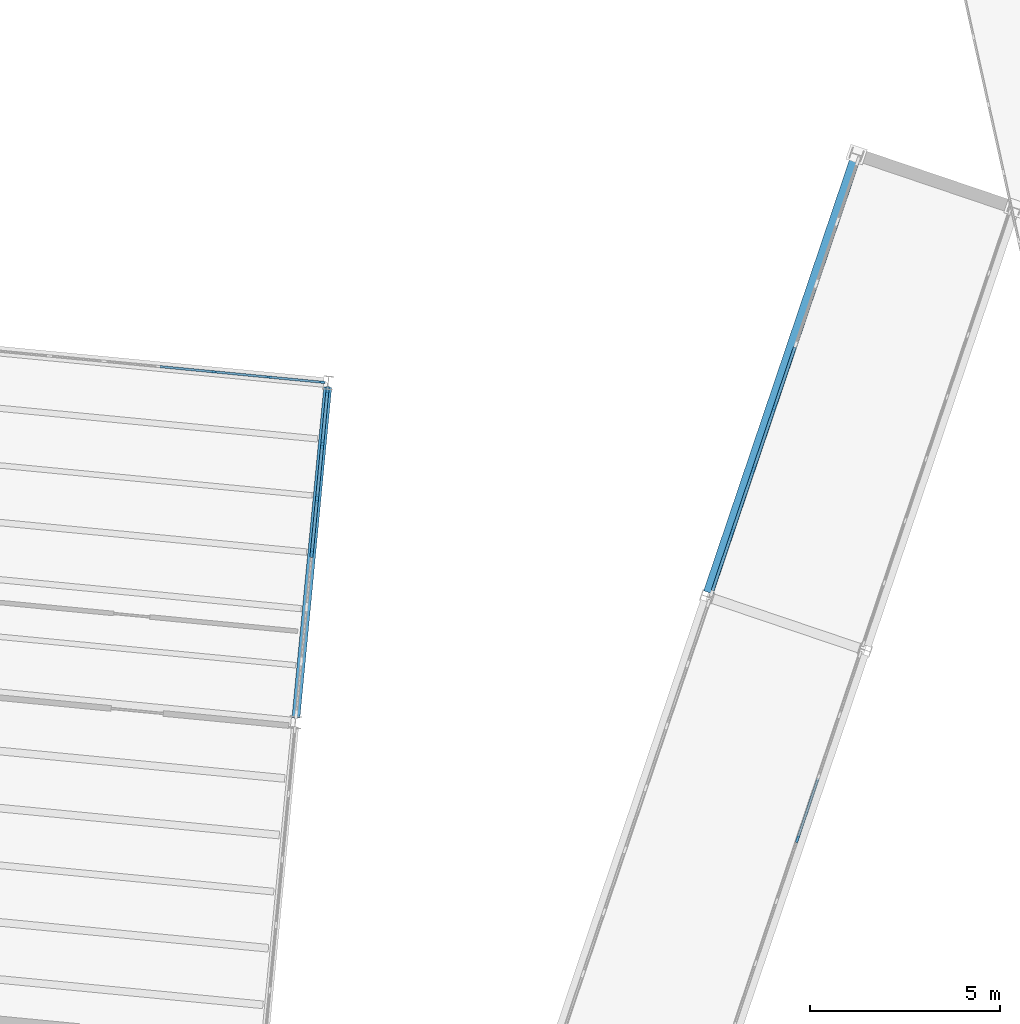
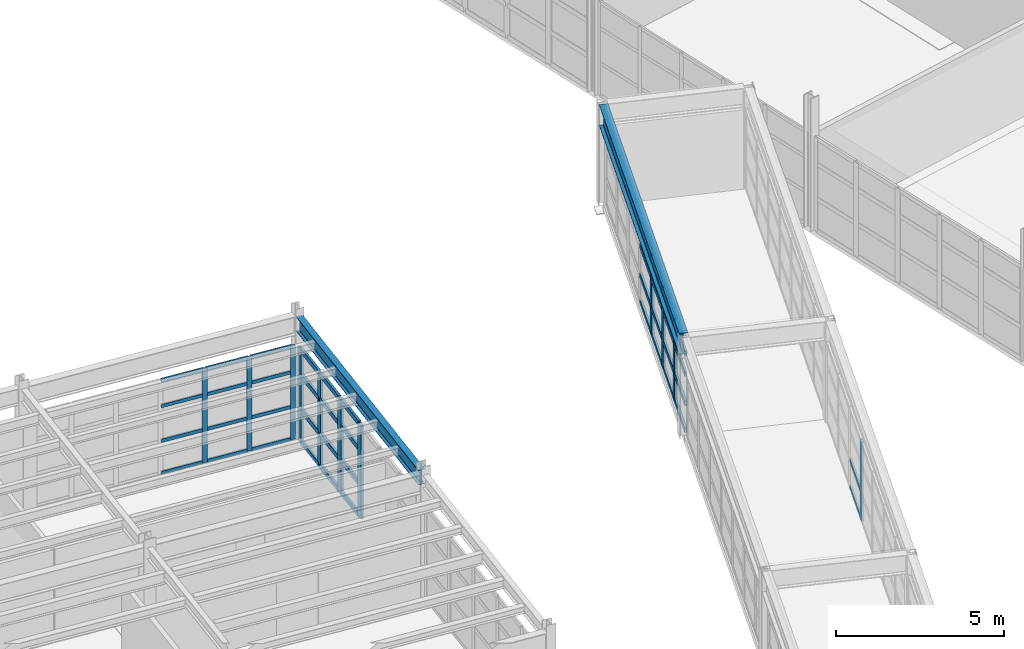
# One storey, part 50 of 102: 53 members, 2 beams, 4 elements without a shape of their own.
"""IFC4 building model written with IfcOpenShell, lengths in metres."""

from ifc_helpers import new_model, si_unit, direction, frame, origin, origin_2d, place, context, subcontext, project, spatial, rectangle, i_section, extrude, material, layer, layer_set, material_profile, profile_set, type_object, element, aggregate, save


model = new_model("IFC4")

# Units and contexts
model_context = context("Model", 3, precision=1e-05, world=origin(), true_north=direction((0.0, 1.0)))
body_context = subcontext(model_context, "Body", "Model", "MODEL_VIEW")
ifc_project = project(units=[si_unit("LENGTHUNIT", "METRE"), si_unit("AREAUNIT", "SQUARE_METRE"), si_unit("VOLUMEUNIT", "CUBIC_METRE"), si_unit("PLANEANGLEUNIT", "RADIAN"), si_unit("MASSUNIT", "GRAM", prefix="KILO")], contexts=[model_context])

# Site, building, storey
site_placement = place(None, origin())
site = spatial("IfcSite", under=ifc_project, at=site_placement, CompositionType="ELEMENT")
building_placement = place(site_placement, origin())
building = spatial("IfcBuilding", under=site, at=building_placement, Name="Vireo Bluff Cable Station", CompositionType="ELEMENT")
storey_placement = place(building_placement, frame((0.0, 0.0, 9.60009765625)))
storey = spatial("IfcBuildingStorey", under=building, at=storey_placement, Name="L02", CompositionType="ELEMENT", Elevation=9.60009765625)

# Curtain wall, member
ifc_material_1 = material(Name="Anodized Aluminium 6063-T6", Category="aluminium")
ifc_layer_1 = layer(ifc_material_1, 0.159912109375, Name="Anodized Aluminium 6063-T6")
ifc_layer_set_1 = layer_set([ifc_layer_1], Name="Anodized Aluminium 6063-T6")
curtain_wall_type_1 = type_object("IfcCurtainWallType", Name="CW-STICK-1750", PredefinedType="USERDEFINED", material=ifc_layer_set_1)
curtain_wall_1_placement = place(storey_placement, origin())
curtain_wall_1 = element("IfcCurtainWall", 1, at=curtain_wall_1_placement, inside=storey, type_object=curtain_wall_type_1, Name="SKYBR L02 HAUL-DRIVE-2L curtain wall CW-148", ObjectType="STICK CURTAIN WALL", PredefinedType="USERDEFINED")
ifc_material_profile_1 = material_profile(ifc_material_1, rectangle(XDim=0.06494140625, YDim=0.179931640625, at=origin_2d()), Name="ALU-M-65X180")
ifc_profile_set_1 = profile_set([ifc_material_profile_1], Name="Anodized Aluminium 6063-T6")
member_type_1 = type_object("IfcMemberType", Name="CWM-01", PredefinedType="MULLION", material=ifc_profile_set_1)
member_1_placement = place(storey_placement, frame((117.67919921875, 69.429443359375, 0.0), z_axis=(0.0, 0.0, 1.0), x_axis=(-0.9472950728, 0.320362365221, 0.0)))
member_1 = element("IfcMember", 2, at=member_1_placement, type_object=member_type_1, Name="CW-148 mullion 5", PredefinedType="MULLION", context=body_context, shape_type="SweptSolid", body=[
    extrude(rectangle(XDim=0.06494140625, YDim=0.179931640625, at=origin_2d()), origin(), (0.0, 0.0, 1.0), 2.8798828125),
])

# Curtain wall, members
ifc_layer_2 = layer(ifc_material_1, 0.179931640625, Name="Anodized Aluminium 6063-T6")
ifc_layer_set_2 = layer_set([ifc_layer_2], Name="Anodized Aluminium 6063-T6")
curtain_wall_type_2 = type_object("IfcCurtainWallType", Name="CW-UNIT-1400", PredefinedType="USERDEFINED", material=ifc_layer_set_2)
curtain_wall_2_placement = place(storey_placement, origin())
curtain_wall_2 = element("IfcCurtainWall", 3, at=curtain_wall_2_placement, inside=storey, type_object=curtain_wall_type_2, Name="V3 L02 north curtain wall CW-078", ObjectType="UNITISED CURTAIN WALL", PredefinedType="USERDEFINED")
ifc_material_profile_2 = material_profile(ifc_material_1, rectangle(XDim=0.06005859375, YDim=0.159912109375, at=origin_2d()), Name="ALU-M-60X160")
ifc_profile_set_2 = profile_set([ifc_material_profile_2], Name="Anodized Aluminium 6063-T6")
member_type_2 = type_object("IfcMemberType", Name="CWM-03", PredefinedType="MULLION", material=ifc_profile_set_2)
member_2_placement = place(storey_placement, frame((102.2783203125, 81.76123046875, 0.0), z_axis=(0.0, 0.0, 1.0), x_axis=(0.095845743156, 0.995396199269, 0.0)))
member_2 = element("IfcMember", 4, at=member_2_placement, type_object=member_type_2, Name="CW-078 mullion 5", PredefinedType="MULLION", context=body_context, shape_type="SweptSolid", body=[
    extrude(rectangle(XDim=0.06005859375, YDim=0.159912109375, at=origin_2d()), origin(), (0.0, 0.0, 1.0), 3.39990234375),
])
member_3_placement = place(storey_placement, frame((103.723876953125, 81.6220703125, 0.0), z_axis=(0.0, 0.0, 1.0), x_axis=(0.095845743156, 0.995396199269, 0.0)))
member_3 = element("IfcMember", 5, at=member_3_placement, type_object=member_type_2, Name="CW-078 mullion 6", PredefinedType="MULLION", context=body_context, shape_type="SweptSolid", body=[
    extrude(rectangle(XDim=0.06005859375, YDim=0.159912109375, at=origin_2d()), origin(), (0.0, 0.0, 1.0), 3.39990234375),
])
member_4_placement = place(storey_placement, frame((105.139404296875, 81.48583984375, 0.0), z_axis=(0.0, 0.0, 1.0), x_axis=(0.095845743156, 0.995396199269, 0.0)))
member_4 = element("IfcMember", 6, at=member_4_placement, type_object=member_type_2, Name="CW-078 mullion 7", PredefinedType="MULLION", context=body_context, shape_type="SweptSolid", body=[
    extrude(rectangle(XDim=0.06005859375, YDim=0.159912109375, at=origin_2d()), origin(), (0.0, 0.0, 1.0), 3.39990234375),
])

ifc_layer_3 = layer(ifc_material_1, 0.179931640625, Name="Anodized Aluminium 6063-T6")
ifc_layer_set_3 = layer_set([ifc_layer_3], Name="Anodized Aluminium 6063-T6")
curtain_wall_type_3 = type_object("IfcCurtainWallType", Name="CW-UNIT-1500", PredefinedType="USERDEFINED", material=ifc_layer_set_3)
curtain_wall_3_placement = place(storey_placement, origin())
curtain_wall_3 = element("IfcCurtainWall", 7, at=curtain_wall_3_placement, inside=storey, type_object=curtain_wall_type_3, Name="V3 L02 east curtain wall CW-079", ObjectType="UNITISED CURTAIN WALL", PredefinedType="USERDEFINED")
ifc_material_profile_3 = material_profile(ifc_material_1, rectangle(XDim=0.080078125, YDim=0.239990234375, at=origin_2d()), Name="ALU-M-80X240")
ifc_profile_set_3 = profile_set([ifc_material_profile_3], Name="Anodized Aluminium 6063-T6")
member_type_3 = type_object("IfcMemberType", Name="CWM-04", PredefinedType="MULLION", material=ifc_profile_set_3)
member_5_placement = place(storey_placement, frame((105.276611328125, 81.253173828125, 0.0), z_axis=(0.0, 0.0, 1.0), x_axis=(0.995396201313, -0.095845721926, 0.0)))
member_5 = element("IfcMember", 8, at=member_5_placement, type_object=member_type_3, Name="CW-079 mullion 1", PredefinedType="MULLION", context=body_context, shape_type="SweptSolid", body=[
    extrude(rectangle(XDim=0.080078125, YDim=0.239990234375, at=origin_2d()), origin(), (0.0, 0.0, 1.0), 3.39990234375),
])
member_6_placement = place(storey_placement, frame((105.142333984375, 79.857421875, 0.0), z_axis=(0.0, 0.0, 1.0), x_axis=(0.995396201313, -0.095845721926, 0.0)))
member_6 = element("IfcMember", 9, at=member_6_placement, type_object=member_type_3, Name="CW-079 mullion 2", PredefinedType="MULLION", context=body_context, shape_type="SweptSolid", body=[
    extrude(rectangle(XDim=0.080078125, YDim=0.239990234375, at=origin_2d()), origin(), (0.0, 0.0, 1.0), 3.39990234375),
])
member_7_placement = place(storey_placement, frame((105.00390625, 78.421875, 0.0), z_axis=(0.0, 0.0, 1.0), x_axis=(0.995396201313, -0.095845721926, 0.0)))
member_7 = element("IfcMember", 10, at=member_7_placement, type_object=member_type_3, Name="CW-079 mullion 3", PredefinedType="MULLION", context=body_context, shape_type="SweptSolid", body=[
    extrude(rectangle(XDim=0.080078125, YDim=0.239990234375, at=origin_2d()), origin(), (0.0, 0.0, 1.0), 3.39990234375),
])
member_8_placement = place(storey_placement, frame((104.86572265625, 76.986328125, 0.0), z_axis=(0.0, 0.0, 1.0), x_axis=(0.995396201313, -0.095845721926, 0.0)))
member_8 = element("IfcMember", 11, at=member_8_placement, type_object=member_type_3, Name="CW-079 mullion 4", PredefinedType="MULLION", context=body_context, shape_type="SweptSolid", body=[
    extrude(rectangle(XDim=0.080078125, YDim=0.239990234375, at=origin_2d()), origin(), (0.0, 0.0, 1.0), 3.39990234375),
])

ifc_layer_4 = layer(ifc_material_1, 0.159912109375, Name="Anodized Aluminium 6063-T6")
ifc_layer_set_4 = layer_set([ifc_layer_4], Name="Anodized Aluminium 6063-T6")
curtain_wall_type_4 = type_object("IfcCurtainWallType", Name="CW-STICK-1850", PredefinedType="USERDEFINED", material=ifc_layer_set_4)
curtain_wall_4_placement = place(storey_placement, origin())
curtain_wall_4 = element("IfcCurtainWall", 12, at=curtain_wall_4_placement, inside=storey, type_object=curtain_wall_type_4, Name="SKYBR L02 HAUL-DRIVE-3R curtain wall CW-151", ObjectType="STICK CURTAIN WALL", PredefinedType="USERDEFINED")
member_9_placement = place(storey_placement, frame((115.9658203125, 77.548095703125, 0.0), z_axis=(0.0, 0.0, 1.0), x_axis=(-0.947297996715, 0.320353719222, 0.0)))
member_9 = element("IfcMember", 13, at=member_9_placement, type_object=member_type_3, Name="CW-151 mullion 2", PredefinedType="MULLION", context=body_context, shape_type="SweptSolid", body=[
    extrude(rectangle(XDim=0.080078125, YDim=0.239990234375, at=origin_2d()), origin(), (0.0, 0.0, 1.0), 2.8798828125),
])
member_10_placement = place(storey_placement, frame((116.518310546875, 79.182373046875, 0.0), z_axis=(0.0, 0.0, 1.0), x_axis=(-0.947297996715, 0.320353719222, 0.0)))
member_10 = element("IfcMember", 14, at=member_10_placement, type_object=member_type_3, Name="CW-151 mullion 3", PredefinedType="MULLION", context=body_context, shape_type="SweptSolid", body=[
    extrude(rectangle(XDim=0.080078125, YDim=0.239990234375, at=origin_2d()), origin(), (0.0, 0.0, 1.0), 2.8798828125),
])
member_11_placement = place(storey_placement, frame((117.071044921875, 80.816650390625, 0.0), z_axis=(0.0, 0.0, 1.0), x_axis=(-0.947297996715, 0.320353719222, 0.0)))
member_11 = element("IfcMember", 15, at=member_11_placement, type_object=member_type_3, Name="CW-151 mullion 4", PredefinedType="MULLION", context=body_context, shape_type="SweptSolid", body=[
    extrude(rectangle(XDim=0.080078125, YDim=0.239990234375, at=origin_2d()), origin(), (0.0, 0.0, 1.0), 2.8798828125),
])

# Member
ifc_material_profile_4 = material_profile(ifc_material_1, rectangle(XDim=0.06494140625, YDim=0.139892578125, at=origin_2d()), Name="ALU-T-65X140")
ifc_profile_set_4 = profile_set([ifc_material_profile_4], Name="Anodized Aluminium 6063-T6")
member_type_4 = type_object("IfcMemberType", Name="CWT-01", PredefinedType="USERDEFINED", material=ifc_profile_set_4)
member_12_placement = place(storey_placement, frame((117.689697265625, 69.460205078125, 0.032470703125), z_axis=(0.320370895193, 0.947292188036, 0.0), x_axis=(-0.947292188036, 0.320370895193, 0.0)))
member_12 = element("IfcMember", 16, at=member_12_placement, type_object=member_type_4, Name="CW-148 transom 5.1", ObjectType="TRANSOM", PredefinedType="USERDEFINED", context=body_context, shape_type="SweptSolid", body=[
    extrude(rectangle(XDim=0.06494140625, YDim=0.139892578125, at=origin_2d()), origin(), (0.0, 0.0, 1.0), 1.660400390625),
])

member_13_placement = place(storey_placement, frame((117.689697265625, 69.460205078125, 1.0078125), z_axis=(0.320370895193, 0.947292188036, 0.0), x_axis=(-0.947292188036, 0.320370895193, 0.0)))
member_13 = element("IfcMember", 17, at=member_13_placement, type_object=member_type_4, Name="CW-148 transom 5.2", ObjectType="TRANSOM", PredefinedType="USERDEFINED", context=body_context, shape_type="SweptSolid", body=[
    extrude(rectangle(XDim=0.06494140625, YDim=0.139892578125, at=origin_2d()), origin(), (0.0, 0.0, 1.0), 1.660400390625),
])

aggregate(curtain_wall_1, [member_1, member_12, member_13])

ifc_material_profile_5 = material_profile(ifc_material_1, rectangle(XDim=0.06005859375, YDim=0.1201171875, at=origin_2d()), Name="ALU-T-60X120")
ifc_profile_set_5 = profile_set([ifc_material_profile_5], Name="Anodized Aluminium 6063-T6")
member_type_5 = type_object("IfcMemberType", Name="CWT-03", PredefinedType="USERDEFINED", material=ifc_profile_set_5)
member_14_placement = place(storey_placement, frame((100.86279296875, 81.8974609375, 0.02978515625), z_axis=(0.995405172575, -0.09575250603, 0.0), x_axis=(0.09575250603, 0.995405172575, 0.0)))
member_14 = element("IfcMember", 18, at=member_14_placement, type_object=member_type_5, Name="CW-078 transom 4.1", ObjectType="TRANSOM", PredefinedType="USERDEFINED", context=body_context, shape_type="SweptSolid", body=[
    extrude(rectangle(XDim=0.06005859375, YDim=0.1201171875, at=origin_2d()), origin(), (0.0, 0.0, 1.0), 1.39208984375),
])

member_15_placement = place(storey_placement, frame((100.86279296875, 81.8974609375, 1.18994140625), z_axis=(0.995405172575, -0.09575250603, 0.0), x_axis=(0.09575250603, 0.995405172575, 0.0)))
member_15 = element("IfcMember", 19, at=member_15_placement, type_object=member_type_5, Name="CW-078 transom 4.2", ObjectType="TRANSOM", PredefinedType="USERDEFINED", context=body_context, shape_type="SweptSolid", body=[
    extrude(rectangle(XDim=0.06005859375, YDim=0.1201171875, at=origin_2d()), origin(), (0.0, 0.0, 1.0), 1.39208984375),
])

member_16_placement = place(storey_placement, frame((100.86279296875, 81.8974609375, 2.447998046875), z_axis=(0.995405172575, -0.09575250603, 0.0), x_axis=(0.09575250603, 0.995405172575, 0.0)))
member_16 = element("IfcMember", 20, at=member_16_placement, type_object=member_type_5, Name="CW-078 transom 4.3", ObjectType="TRANSOM", PredefinedType="USERDEFINED", context=body_context, shape_type="SweptSolid", body=[
    extrude(rectangle(XDim=0.06005859375, YDim=0.1201171875, at=origin_2d()), origin(), (0.0, 0.0, 1.0), 1.39208984375),
])

member_17_placement = place(storey_placement, frame((100.86279296875, 81.8974609375, 3.369873046875), z_axis=(0.995405172575, -0.09575250603, 0.0), x_axis=(0.09575250603, 0.995405172575, 0.0)))
member_17 = element("IfcMember", 21, at=member_17_placement, type_object=member_type_5, Name="CW-078 transom 4.4", ObjectType="TRANSOM", PredefinedType="USERDEFINED", context=body_context, shape_type="SweptSolid", body=[
    extrude(rectangle(XDim=0.06005859375, YDim=0.1201171875, at=origin_2d()), origin(), (0.0, 0.0, 1.0), 1.39208984375),
])

member_18_placement = place(storey_placement, frame((102.308349609375, 81.75830078125, 0.02978515625), z_axis=(0.995403564258, -0.09576922398, 0.0), x_axis=(0.09576922398, 0.995403564258, 0.0)))
member_18 = element("IfcMember", 22, at=member_18_placement, type_object=member_type_5, Name="CW-078 transom 5.1", ObjectType="TRANSOM", PredefinedType="USERDEFINED", context=body_context, shape_type="SweptSolid", body=[
    extrude(rectangle(XDim=0.06005859375, YDim=0.1201171875, at=origin_2d()), origin(), (0.0, 0.0, 1.0), 1.391845703125),
])

member_19_placement = place(storey_placement, frame((102.308349609375, 81.75830078125, 1.18994140625), z_axis=(0.995403564258, -0.09576922398, 0.0), x_axis=(0.09576922398, 0.995403564258, 0.0)))
member_19 = element("IfcMember", 23, at=member_19_placement, type_object=member_type_5, Name="CW-078 transom 5.2", ObjectType="TRANSOM", PredefinedType="USERDEFINED", context=body_context, shape_type="SweptSolid", body=[
    extrude(rectangle(XDim=0.06005859375, YDim=0.1201171875, at=origin_2d()), origin(), (0.0, 0.0, 1.0), 1.391845703125),
])

member_20_placement = place(storey_placement, frame((102.308349609375, 81.75830078125, 2.447998046875), z_axis=(0.995403564258, -0.09576922398, 0.0), x_axis=(0.09576922398, 0.995403564258, 0.0)))
member_20 = element("IfcMember", 24, at=member_20_placement, type_object=member_type_5, Name="CW-078 transom 5.3", ObjectType="TRANSOM", PredefinedType="USERDEFINED", context=body_context, shape_type="SweptSolid", body=[
    extrude(rectangle(XDim=0.06005859375, YDim=0.1201171875, at=origin_2d()), origin(), (0.0, 0.0, 1.0), 1.391845703125),
])

member_21_placement = place(storey_placement, frame((102.308349609375, 81.75830078125, 3.369873046875), z_axis=(0.995403564258, -0.09576922398, 0.0), x_axis=(0.09576922398, 0.995403564258, 0.0)))
member_21 = element("IfcMember", 25, at=member_21_placement, type_object=member_type_5, Name="CW-078 transom 5.4", ObjectType="TRANSOM", PredefinedType="USERDEFINED", context=body_context, shape_type="SweptSolid", body=[
    extrude(rectangle(XDim=0.06005859375, YDim=0.1201171875, at=origin_2d()), origin(), (0.0, 0.0, 1.0), 1.391845703125),
])

member_22_placement = place(storey_placement, frame((103.753662109375, 81.619140625, 0.02978515625), z_axis=(0.995408043764, -0.095722653587, 0.0), x_axis=(0.095722653587, 0.995408043764, 0.0)))
member_22 = element("IfcMember", 26, at=member_22_placement, type_object=member_type_5, Name="CW-078 transom 6.1", ObjectType="TRANSOM", PredefinedType="USERDEFINED", context=body_context, shape_type="SweptSolid", body=[
    extrude(rectangle(XDim=0.06005859375, YDim=0.1201171875, at=origin_2d()), origin(), (0.0, 0.0, 1.0), 1.362060546875),
])

member_23_placement = place(storey_placement, frame((103.753662109375, 81.619140625, 1.18994140625), z_axis=(0.995408043764, -0.095722653587, 0.0), x_axis=(0.095722653587, 0.995408043764, 0.0)))
member_23 = element("IfcMember", 27, at=member_23_placement, type_object=member_type_5, Name="CW-078 transom 6.2", ObjectType="TRANSOM", PredefinedType="USERDEFINED", context=body_context, shape_type="SweptSolid", body=[
    extrude(rectangle(XDim=0.06005859375, YDim=0.1201171875, at=origin_2d()), origin(), (0.0, 0.0, 1.0), 1.362060546875),
])

member_24_placement = place(storey_placement, frame((103.753662109375, 81.619140625, 2.447998046875), z_axis=(0.995408043764, -0.095722653587, 0.0), x_axis=(0.095722653587, 0.995408043764, 0.0)))
member_24 = element("IfcMember", 28, at=member_24_placement, type_object=member_type_5, Name="CW-078 transom 6.3", ObjectType="TRANSOM", PredefinedType="USERDEFINED", context=body_context, shape_type="SweptSolid", body=[
    extrude(rectangle(XDim=0.06005859375, YDim=0.1201171875, at=origin_2d()), origin(), (0.0, 0.0, 1.0), 1.362060546875),
])

member_25_placement = place(storey_placement, frame((103.753662109375, 81.619140625, 3.369873046875), z_axis=(0.995408043764, -0.095722653587, 0.0), x_axis=(0.095722653587, 0.995408043764, 0.0)))
member_25 = element("IfcMember", 29, at=member_25_placement, type_object=member_type_5, Name="CW-078 transom 6.4", ObjectType="TRANSOM", PredefinedType="USERDEFINED", context=body_context, shape_type="SweptSolid", body=[
    extrude(rectangle(XDim=0.06005859375, YDim=0.1201171875, at=origin_2d()), origin(), (0.0, 0.0, 1.0), 1.362060546875),
])

aggregate(curtain_wall_2, [member_2, member_3, member_4, member_14, member_15, member_16, member_17, member_18, member_19, member_20, member_21, member_22, member_23, member_24, member_25])

ifc_material_profile_6 = material_profile(ifc_material_1, rectangle(XDim=0.080078125, YDim=0.175048828125, at=origin_2d()), Name="ALU-T-80X175")
ifc_profile_set_6 = profile_set([ifc_material_profile_6], Name="Anodized Aluminium 6063-T6")
member_type_6 = type_object("IfcMemberType", Name="CWT-04", PredefinedType="USERDEFINED", material=ifc_profile_set_6)
member_26_placement = place(storey_placement, frame((105.272705078125, 81.213134765625, 0.039794921875), z_axis=(-0.095846124005, -0.995396162597, 0.0), x_axis=(0.995396162597, -0.095846124005, 0.0)))
member_26 = element("IfcMember", 30, at=member_26_placement, type_object=member_type_6, Name="CW-079 transom 1.1", ObjectType="TRANSOM", PredefinedType="USERDEFINED", context=body_context, shape_type="SweptSolid", body=[
    extrude(rectangle(XDim=0.080078125, YDim=0.175048828125, at=origin_2d()), origin(), (0.0, 0.0, 1.0), 1.322021484375),
])

member_27_placement = place(storey_placement, frame((105.272705078125, 81.213134765625, 1.18994140625), z_axis=(-0.095846124005, -0.995396162597, 0.0), x_axis=(0.995396162597, -0.095846124005, 0.0)))
member_27 = element("IfcMember", 31, at=member_27_placement, type_object=member_type_6, Name="CW-079 transom 1.2", ObjectType="TRANSOM", PredefinedType="USERDEFINED", context=body_context, shape_type="SweptSolid", body=[
    extrude(rectangle(XDim=0.080078125, YDim=0.175048828125, at=origin_2d()), origin(), (0.0, 0.0, 1.0), 1.322021484375),
])

member_28_placement = place(storey_placement, frame((105.272705078125, 81.213134765625, 2.447998046875), z_axis=(-0.095846124005, -0.995396162597, 0.0), x_axis=(0.995396162597, -0.095846124005, 0.0)))
member_28 = element("IfcMember", 32, at=member_28_placement, type_object=member_type_6, Name="CW-079 transom 1.3", ObjectType="TRANSOM", PredefinedType="USERDEFINED", context=body_context, shape_type="SweptSolid", body=[
    extrude(rectangle(XDim=0.080078125, YDim=0.175048828125, at=origin_2d()), origin(), (0.0, 0.0, 1.0), 1.322021484375),
])

member_29_placement = place(storey_placement, frame((105.272705078125, 81.213134765625, 3.35986328125), z_axis=(-0.095846124005, -0.995396162597, 0.0), x_axis=(0.995396162597, -0.095846124005, 0.0)))
member_29 = element("IfcMember", 33, at=member_29_placement, type_object=member_type_6, Name="CW-079 transom 1.4", ObjectType="TRANSOM", PredefinedType="USERDEFINED", context=body_context, shape_type="SweptSolid", body=[
    extrude(rectangle(XDim=0.080078125, YDim=0.175048828125, at=origin_2d()), origin(), (0.0, 0.0, 1.0), 1.322021484375),
])

member_30_placement = place(storey_placement, frame((105.138427734375, 79.817626953125, 0.039794921875), z_axis=(-0.095883154305, -0.995392596276, 0.0), x_axis=(0.995392596276, -0.095883154305, 0.0)))
member_30 = element("IfcMember", 34, at=member_30_placement, type_object=member_type_6, Name="CW-079 transom 2.1", ObjectType="TRANSOM", PredefinedType="USERDEFINED", context=body_context, shape_type="SweptSolid", body=[
    extrude(rectangle(XDim=0.080078125, YDim=0.175048828125, at=origin_2d()), origin(), (0.0, 0.0, 1.0), 1.3623046875),
])

member_31_placement = place(storey_placement, frame((105.138427734375, 79.817626953125, 1.18994140625), z_axis=(-0.095883154305, -0.995392596276, 0.0), x_axis=(0.995392596276, -0.095883154305, 0.0)))
member_31 = element("IfcMember", 35, at=member_31_placement, type_object=member_type_6, Name="CW-079 transom 2.2", ObjectType="TRANSOM", PredefinedType="USERDEFINED", context=body_context, shape_type="SweptSolid", body=[
    extrude(rectangle(XDim=0.080078125, YDim=0.175048828125, at=origin_2d()), origin(), (0.0, 0.0, 1.0), 1.3623046875),
])

member_32_placement = place(storey_placement, frame((105.138427734375, 79.817626953125, 2.447998046875), z_axis=(-0.095883154305, -0.995392596276, 0.0), x_axis=(0.995392596276, -0.095883154305, 0.0)))
member_32 = element("IfcMember", 36, at=member_32_placement, type_object=member_type_6, Name="CW-079 transom 2.3", ObjectType="TRANSOM", PredefinedType="USERDEFINED", context=body_context, shape_type="SweptSolid", body=[
    extrude(rectangle(XDim=0.080078125, YDim=0.175048828125, at=origin_2d()), origin(), (0.0, 0.0, 1.0), 1.3623046875),
])

member_33_placement = place(storey_placement, frame((105.138427734375, 79.817626953125, 3.35986328125), z_axis=(-0.095883154305, -0.995392596276, 0.0), x_axis=(0.995392596276, -0.095883154305, 0.0)))
member_33 = element("IfcMember", 37, at=member_33_placement, type_object=member_type_6, Name="CW-079 transom 2.4", ObjectType="TRANSOM", PredefinedType="USERDEFINED", context=body_context, shape_type="SweptSolid", body=[
    extrude(rectangle(XDim=0.080078125, YDim=0.175048828125, at=origin_2d()), origin(), (0.0, 0.0, 1.0), 1.3623046875),
])

member_34_placement = place(storey_placement, frame((105.000244140625, 78.382080078125, 0.039794921875), z_axis=(-0.095883154305, -0.995392596276, 0.0), x_axis=(0.995392596276, -0.095883154305, 0.0)))
member_34 = element("IfcMember", 38, at=member_34_placement, type_object=member_type_6, Name="CW-079 transom 3.1", ObjectType="TRANSOM", PredefinedType="USERDEFINED", context=body_context, shape_type="SweptSolid", body=[
    extrude(rectangle(XDim=0.080078125, YDim=0.175048828125, at=origin_2d()), origin(), (0.0, 0.0, 1.0), 1.3623046875),
])

member_35_placement = place(storey_placement, frame((105.000244140625, 78.382080078125, 1.18994140625), z_axis=(-0.095883154305, -0.995392596276, 0.0), x_axis=(0.995392596276, -0.095883154305, 0.0)))
member_35 = element("IfcMember", 39, at=member_35_placement, type_object=member_type_6, Name="CW-079 transom 3.2", ObjectType="TRANSOM", PredefinedType="USERDEFINED", context=body_context, shape_type="SweptSolid", body=[
    extrude(rectangle(XDim=0.080078125, YDim=0.175048828125, at=origin_2d()), origin(), (0.0, 0.0, 1.0), 1.3623046875),
])

member_36_placement = place(storey_placement, frame((105.000244140625, 78.382080078125, 2.447998046875), z_axis=(-0.095883154305, -0.995392596276, 0.0), x_axis=(0.995392596276, -0.095883154305, 0.0)))
member_36 = element("IfcMember", 40, at=member_36_placement, type_object=member_type_6, Name="CW-079 transom 3.3", ObjectType="TRANSOM", PredefinedType="USERDEFINED", context=body_context, shape_type="SweptSolid", body=[
    extrude(rectangle(XDim=0.080078125, YDim=0.175048828125, at=origin_2d()), origin(), (0.0, 0.0, 1.0), 1.3623046875),
])

member_37_placement = place(storey_placement, frame((105.000244140625, 78.382080078125, 3.35986328125), z_axis=(-0.095883154305, -0.995392596276, 0.0), x_axis=(0.995392596276, -0.095883154305, 0.0)))
member_37 = element("IfcMember", 41, at=member_37_placement, type_object=member_type_6, Name="CW-079 transom 3.4", ObjectType="TRANSOM", PredefinedType="USERDEFINED", context=body_context, shape_type="SweptSolid", body=[
    extrude(rectangle(XDim=0.080078125, YDim=0.175048828125, at=origin_2d()), origin(), (0.0, 0.0, 1.0), 1.3623046875),
])

aggregate(curtain_wall_3, [member_5, member_6, member_7, member_8, member_26, member_27, member_28, member_29, member_30, member_31, member_32, member_33, member_34, member_35, member_36, member_37])

member_38_placement = place(storey_placement, frame((115.438720703125, 75.98974609375, 0.039794921875), z_axis=(0.320331618583, 0.94730547034, 0.0), x_axis=(-0.94730547034, 0.320331618583, 0.0)))
member_38 = element("IfcMember", 42, at=member_38_placement, type_object=member_type_6, Name="CW-151 transom 1.1", ObjectType="TRANSOM", PredefinedType="USERDEFINED", context=body_context, shape_type="SweptSolid", body=[
    extrude(rectangle(XDim=0.080078125, YDim=0.175048828125, at=origin_2d()), origin(), (0.0, 0.0, 1.0), 1.60498046875),
])

member_39_placement = place(storey_placement, frame((115.438720703125, 75.98974609375, 1.0078125), z_axis=(0.320331618583, 0.94730547034, 0.0), x_axis=(-0.94730547034, 0.320331618583, 0.0)))
member_39 = element("IfcMember", 43, at=member_39_placement, type_object=member_type_6, Name="CW-151 transom 1.2", ObjectType="TRANSOM", PredefinedType="USERDEFINED", context=body_context, shape_type="SweptSolid", body=[
    extrude(rectangle(XDim=0.080078125, YDim=0.175048828125, at=origin_2d()), origin(), (0.0, 0.0, 1.0), 1.60498046875),
])

member_40_placement = place(storey_placement, frame((115.438720703125, 75.98974609375, 2.073486328125), z_axis=(0.320331618583, 0.94730547034, 0.0), x_axis=(-0.94730547034, 0.320331618583, 0.0)))
member_40 = element("IfcMember", 44, at=member_40_placement, type_object=member_type_6, Name="CW-151 transom 1.3", ObjectType="TRANSOM", PredefinedType="USERDEFINED", context=body_context, shape_type="SweptSolid", body=[
    extrude(rectangle(XDim=0.080078125, YDim=0.175048828125, at=origin_2d()), origin(), (0.0, 0.0, 1.0), 1.60498046875),
])

member_41_placement = place(storey_placement, frame((115.438720703125, 75.98974609375, 2.83984375), z_axis=(0.320331618583, 0.94730547034, 0.0), x_axis=(-0.94730547034, 0.320331618583, 0.0)))
member_41 = element("IfcMember", 45, at=member_41_placement, type_object=member_type_6, Name="CW-151 transom 1.4", ObjectType="TRANSOM", PredefinedType="USERDEFINED", context=body_context, shape_type="SweptSolid", body=[
    extrude(rectangle(XDim=0.080078125, YDim=0.175048828125, at=origin_2d()), origin(), (0.0, 0.0, 1.0), 1.60498046875),
])

member_42_placement = place(storey_placement, frame((115.978515625, 77.586181640625, 0.039794921875), z_axis=(0.320409753843, 0.947279045288, 0.0), x_axis=(-0.947279045288, 0.320409753843, 0.0)))
member_42 = element("IfcMember", 46, at=member_42_placement, type_object=member_type_6, Name="CW-151 transom 2.1", ObjectType="TRANSOM", PredefinedType="USERDEFINED", context=body_context, shape_type="SweptSolid", body=[
    extrude(rectangle(XDim=0.080078125, YDim=0.175048828125, at=origin_2d()), origin(), (0.0, 0.0, 1.0), 1.64501953125),
])

member_43_placement = place(storey_placement, frame((115.978515625, 77.586181640625, 1.0078125), z_axis=(0.320409753843, 0.947279045288, 0.0), x_axis=(-0.947279045288, 0.320409753843, 0.0)))
member_43 = element("IfcMember", 47, at=member_43_placement, type_object=member_type_6, Name="CW-151 transom 2.2", ObjectType="TRANSOM", PredefinedType="USERDEFINED", context=body_context, shape_type="SweptSolid", body=[
    extrude(rectangle(XDim=0.080078125, YDim=0.175048828125, at=origin_2d()), origin(), (0.0, 0.0, 1.0), 1.64501953125),
])

member_44_placement = place(storey_placement, frame((115.978515625, 77.586181640625, 2.073486328125), z_axis=(0.320409753843, 0.947279045288, 0.0), x_axis=(-0.947279045288, 0.320409753843, 0.0)))
member_44 = element("IfcMember", 48, at=member_44_placement, type_object=member_type_6, Name="CW-151 transom 2.3", ObjectType="TRANSOM", PredefinedType="USERDEFINED", context=body_context, shape_type="SweptSolid", body=[
    extrude(rectangle(XDim=0.080078125, YDim=0.175048828125, at=origin_2d()), origin(), (0.0, 0.0, 1.0), 1.64501953125),
])

member_45_placement = place(storey_placement, frame((115.978515625, 77.586181640625, 2.83984375), z_axis=(0.320409753843, 0.947279045288, 0.0), x_axis=(-0.947279045288, 0.320409753843, 0.0)))
member_45 = element("IfcMember", 49, at=member_45_placement, type_object=member_type_6, Name="CW-151 transom 2.4", ObjectType="TRANSOM", PredefinedType="USERDEFINED", context=body_context, shape_type="SweptSolid", body=[
    extrude(rectangle(XDim=0.080078125, YDim=0.175048828125, at=origin_2d()), origin(), (0.0, 0.0, 1.0), 1.64501953125),
])

member_46_placement = place(storey_placement, frame((116.53125, 79.22021484375, 0.039794921875), z_axis=(0.320276573564, 0.947324082047, 0.0), x_axis=(-0.947324082047, 0.320276573564, 0.0)))
member_46 = element("IfcMember", 50, at=member_46_placement, type_object=member_type_6, Name="CW-151 transom 3.1", ObjectType="TRANSOM", PredefinedType="USERDEFINED", context=body_context, shape_type="SweptSolid", body=[
    extrude(rectangle(XDim=0.080078125, YDim=0.175048828125, at=origin_2d()), origin(), (0.0, 0.0, 1.0), 1.64501953125),
])

member_47_placement = place(storey_placement, frame((116.53125, 79.22021484375, 1.0078125), z_axis=(0.320276573564, 0.947324082047, 0.0), x_axis=(-0.947324082047, 0.320276573564, 0.0)))
member_47 = element("IfcMember", 51, at=member_47_placement, type_object=member_type_6, Name="CW-151 transom 3.2", ObjectType="TRANSOM", PredefinedType="USERDEFINED", context=body_context, shape_type="SweptSolid", body=[
    extrude(rectangle(XDim=0.080078125, YDim=0.175048828125, at=origin_2d()), origin(), (0.0, 0.0, 1.0), 1.64501953125),
])

member_48_placement = place(storey_placement, frame((116.53125, 79.22021484375, 2.073486328125), z_axis=(0.320276573564, 0.947324082047, 0.0), x_axis=(-0.947324082047, 0.320276573564, 0.0)))
member_48 = element("IfcMember", 52, at=member_48_placement, type_object=member_type_6, Name="CW-151 transom 3.3", ObjectType="TRANSOM", PredefinedType="USERDEFINED", context=body_context, shape_type="SweptSolid", body=[
    extrude(rectangle(XDim=0.080078125, YDim=0.175048828125, at=origin_2d()), origin(), (0.0, 0.0, 1.0), 1.64501953125),
])

member_49_placement = place(storey_placement, frame((116.53125, 79.22021484375, 2.83984375), z_axis=(0.320276573564, 0.947324082047, 0.0), x_axis=(-0.947324082047, 0.320276573564, 0.0)))
member_49 = element("IfcMember", 53, at=member_49_placement, type_object=member_type_6, Name="CW-151 transom 3.4", ObjectType="TRANSOM", PredefinedType="USERDEFINED", context=body_context, shape_type="SweptSolid", body=[
    extrude(rectangle(XDim=0.080078125, YDim=0.175048828125, at=origin_2d()), origin(), (0.0, 0.0, 1.0), 1.64501953125),
])

member_50_placement = place(storey_placement, frame((117.083740234375, 80.8544921875, 0.039794921875), z_axis=(0.320409753843, 0.947279045288, 0.0), x_axis=(-0.947279045288, 0.320409753843, 0.0)))
member_50 = element("IfcMember", 54, at=member_50_placement, type_object=member_type_6, Name="CW-151 transom 4.1", ObjectType="TRANSOM", PredefinedType="USERDEFINED", context=body_context, shape_type="SweptSolid", body=[
    extrude(rectangle(XDim=0.080078125, YDim=0.175048828125, at=origin_2d()), origin(), (0.0, 0.0, 1.0), 1.64501953125),
])

member_51_placement = place(storey_placement, frame((117.083740234375, 80.8544921875, 1.0078125), z_axis=(0.320409753843, 0.947279045288, 0.0), x_axis=(-0.947279045288, 0.320409753843, 0.0)))
member_51 = element("IfcMember", 55, at=member_51_placement, type_object=member_type_6, Name="CW-151 transom 4.2", ObjectType="TRANSOM", PredefinedType="USERDEFINED", context=body_context, shape_type="SweptSolid", body=[
    extrude(rectangle(XDim=0.080078125, YDim=0.175048828125, at=origin_2d()), origin(), (0.0, 0.0, 1.0), 1.64501953125),
])

member_52_placement = place(storey_placement, frame((117.083740234375, 80.8544921875, 2.073486328125), z_axis=(0.320409753843, 0.947279045288, 0.0), x_axis=(-0.947279045288, 0.320409753843, 0.0)))
member_52 = element("IfcMember", 56, at=member_52_placement, type_object=member_type_6, Name="CW-151 transom 4.3", ObjectType="TRANSOM", PredefinedType="USERDEFINED", context=body_context, shape_type="SweptSolid", body=[
    extrude(rectangle(XDim=0.080078125, YDim=0.175048828125, at=origin_2d()), origin(), (0.0, 0.0, 1.0), 1.64501953125),
])

member_53_placement = place(storey_placement, frame((117.083740234375, 80.8544921875, 2.83984375), z_axis=(0.320409753843, 0.947279045288, 0.0), x_axis=(-0.947279045288, 0.320409753843, 0.0)))
member_53 = element("IfcMember", 57, at=member_53_placement, type_object=member_type_6, Name="CW-151 transom 4.4", ObjectType="TRANSOM", PredefinedType="USERDEFINED", context=body_context, shape_type="SweptSolid", body=[
    extrude(rectangle(XDim=0.080078125, YDim=0.175048828125, at=origin_2d()), origin(), (0.0, 0.0, 1.0), 1.64501953125),
])

aggregate(curtain_wall_4, [member_9, member_10, member_11, member_38, member_39, member_40, member_41, member_42, member_43, member_44, member_45, member_46, member_47, member_48, member_49, member_50, member_51, member_52, member_53])

# Beams
ifc_material_2 = material(Name="Steel ASTM A992 Gr. 50", Category="steel")
ifc_material_profile_7 = material_profile(ifc_material_2, i_section(OverallWidth=0.26708984375, OverallDepth=0.77001953125, WebThickness=0.015625, FlangeThickness=0.025390625, FilletRadius=0.01611328125, at=origin_2d()), Name="W30X132")
ifc_profile_set_7 = profile_set([ifc_material_profile_7], Name="Steel ASTM A992 Gr. 50")
beam_type_1 = type_object("IfcBeamType", Name="EXTGIR-W30X132", PredefinedType="USERDEFINED", material=ifc_profile_set_7)
beam_1_placement = place(storey_placement, frame((115.329833984375, 75.942138671875, 3.25), z_axis=(0.320343049542, 0.947301604881, 0.0), x_axis=(-0.947301604881, 0.320343049542, 0.0)))
element("IfcBeam", 58, at=beam_1_placement, inside=storey, type_object=beam_type_1, Name="HAUL-DRIVE skybridge roof girder 3R", ObjectType="GIRDER", PredefinedType="USERDEFINED", context=body_context, shape_type="SweptSolid", body=[
    extrude(i_section(OverallWidth=0.26708984375, OverallDepth=0.77001953125, WebThickness=0.015625, FlangeThickness=0.025390625, FilletRadius=0.01611328125, at=origin_2d()), origin(), (0.0, 0.0, 1.0), 12.075927734375),
])
ifc_material_profile_8 = material_profile(ifc_material_2, i_section(OverallWidth=0.2099609375, OverallDepth=0.535888671875, WebThickness=0.010986328125, FlangeThickness=0.017333984375, FilletRadius=0.012939453125, at=origin_2d()), Name="W21X68")
ifc_profile_set_8 = profile_set([ifc_material_profile_8], Name="Steel ASTM A992 Gr. 50")
beam_type_2 = type_object("IfcBeamType", Name="SPN-W21X68", PredefinedType="SPANDREL", material=ifc_profile_set_8)
beam_2_placement = place(storey_placement, frame((104.446533203125, 72.63134765625, 4.23193359375), z_axis=(0.095844105487, 0.995396356957, 0.0), x_axis=(-0.995396356957, 0.095844105487, 0.0)))
element("IfcBeam", 59, at=beam_2_placement, inside=storey, type_object=beam_type_2, Name="V3 L02 spandrel 733", PredefinedType="SPANDREL", context=body_context, shape_type="SweptSolid", body=[
    extrude(i_section(OverallWidth=0.2099609375, OverallDepth=0.535888671875, WebThickness=0.010986328125, FlangeThickness=0.017333984375, FilletRadius=0.012939453125, at=origin_2d()), origin(), (0.0, 0.0, 1.0), 8.760009765625),
])

save(model, "model.ifc")
